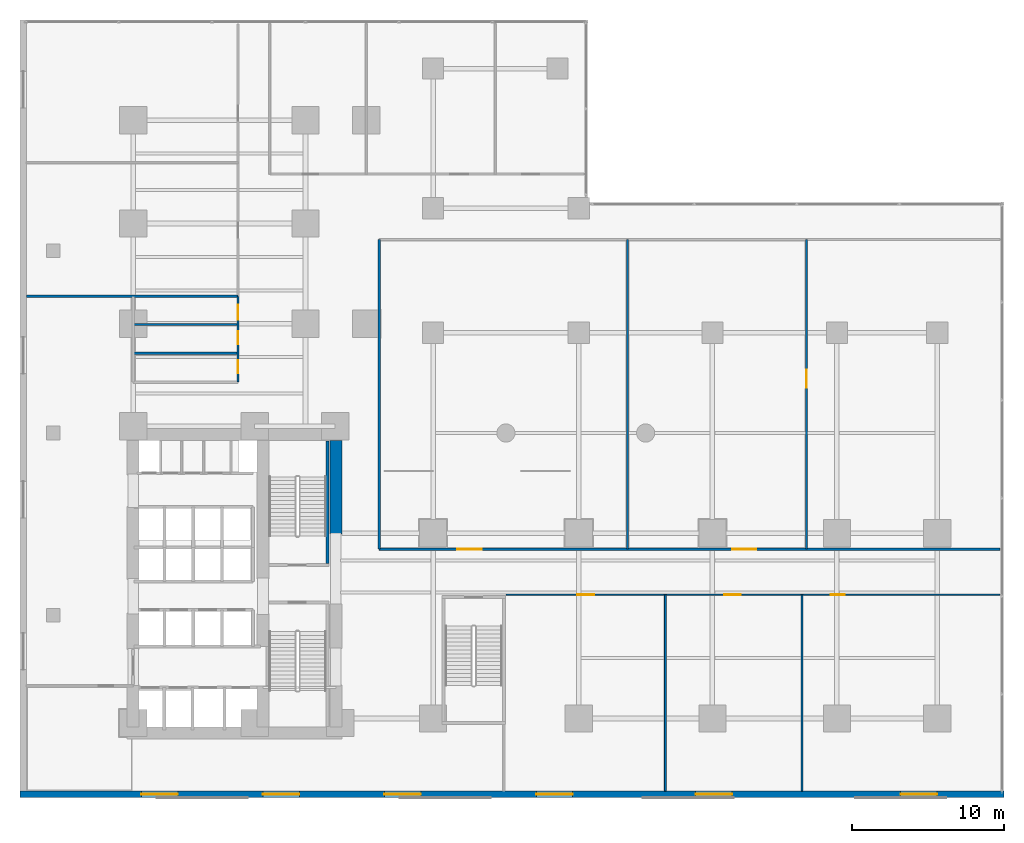
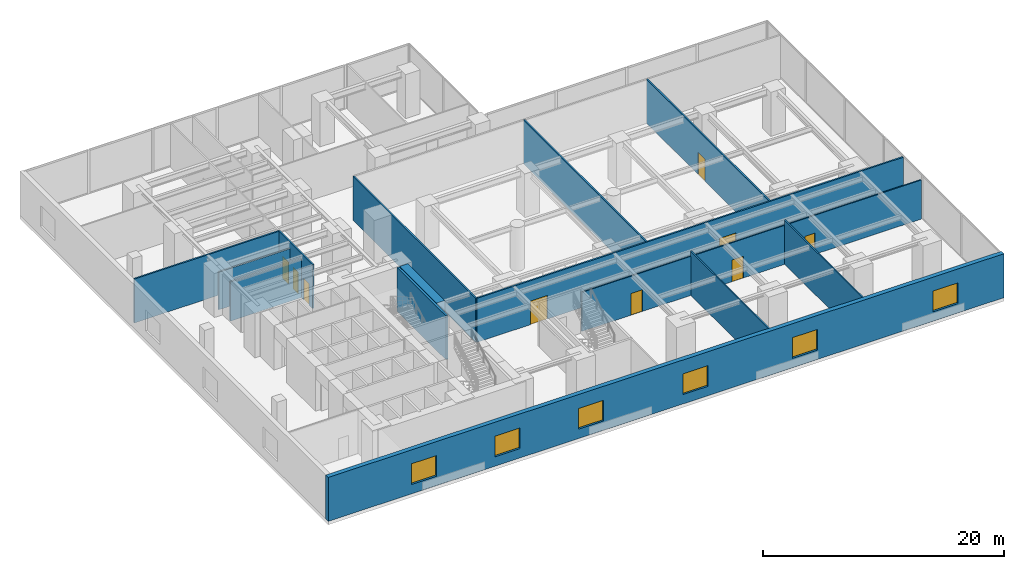
# One storey, part 13 of 16: 14 walls, 9 doors, 6 windows, 15 openings.
"""IFC4 building model written with IfcOpenShell, lengths in metres."""

from ifc_helpers import new_model, si_unit, direction, frame, frame_2d, origin, place, context, subcontext, project, spatial, rectangle, extrude, material, layer, layer_set, type_object, element, fill, save


model = new_model("IFC4")

# Units and contexts
model_context = context("Model", 3, precision=1e-05, world=origin(), true_north=direction((0.0, 1.0)))
body_context = subcontext(model_context, "Body", "Model", "MODEL_VIEW")
ifc_project = project(units=[si_unit("LENGTHUNIT", "METRE"), si_unit("AREAUNIT", "SQUARE_METRE"), si_unit("VOLUMEUNIT", "CUBIC_METRE"), si_unit("PLANEANGLEUNIT", "RADIAN"), si_unit("MASSUNIT", "GRAM", prefix="KILO")], contexts=[model_context])

# Site, building, storey
site_placement = place(None, origin())
site = spatial("IfcSite", under=ifc_project, at=site_placement, CompositionType="ELEMENT")
building_placement = place(site_placement, origin())
building = spatial("IfcBuilding", under=site, at=building_placement, Name="Kolvaren Waterfront Exchange", CompositionType="ELEMENT")
storey_placement = place(building_placement, frame((0.0, 0.0, 15.199951171875)))
storey = spatial("IfcBuildingStorey", under=building, at=storey_placement, Name="L04", CompositionType="ELEMENT", Elevation=15.199951171875)

# Wall, openings, windows
ifc_material_1 = material(Name="Precast concrete C40/50", Category="concrete")
ifc_layer_1 = layer(ifc_material_1, 0.419921875, Name="Precast concrete C40/50")
ifc_layer_set_1 = layer_set([ifc_layer_1], Name="Precast concrete C40/50")
wall_type_1 = type_object("IfcWallType", Name="ARC-EXT-GRANITE-420", PredefinedType="SOLIDWALL", material=ifc_layer_set_1)
wall_1_placement = place(storey_placement, frame((0.0, 0.2099609375, 0.0), z_axis=(0.0, 0.0, 1.0), x_axis=(1.0, 0.0, 0.0)))
wall_1 = element("IfcWall", 1, at=wall_1_placement, inside=storey, type_object=wall_type_1, Name="L04 south granite precast facade wall", PredefinedType="SOLIDWALL", context=body_context, shape_type="SweptSolid", body=[
    extrude(rectangle(XDim=64.800048828125, YDim=0.419921875, at=frame_2d((32.39990234375, 0.0))), origin(), (0.0, 0.0, 1.0), 4.4599609375),
])
opening_1_placement = place(wall_1_placement, frame((8.0, 0.0, 0.949951171875)))
opening_1 = element("IfcOpeningElement", 2, at=opening_1_placement, cuts=wall_1, Name="Opening W04", PredefinedType="OPENING", context=body_context, shape_type="SweptSolid", body=[
    extrude(rectangle(XDim=2.39990234375, YDim=2.10009765625, at=frame_2d((1.199951171875, 1.050048828125))), frame((0.0, 0.219970703125, 0.0), z_axis=(0.0, -1.0, 0.0), x_axis=(1.0, 0.0, 0.0)), (0.0, 0.0, 1.0), 0.43994140625),
])
opening_2_placement = place(wall_1_placement, frame((16.0, 0.0, 0.949951171875)))
opening_2 = element("IfcOpeningElement", 3, at=opening_2_placement, cuts=wall_1, Name="Opening W04", PredefinedType="OPENING", context=body_context, shape_type="SweptSolid", body=[
    extrude(rectangle(XDim=2.39990234375, YDim=2.10009765625, at=frame_2d((1.199951171875, 1.050048828125))), frame((0.0, 0.219970703125, 0.0), z_axis=(0.0, -1.0, 0.0), x_axis=(1.0, 0.0, 0.0)), (0.0, 0.0, 1.0), 0.43994140625),
])
opening_3_placement = place(wall_1_placement, frame((24.0, 0.0, 0.949951171875)))
opening_3 = element("IfcOpeningElement", 4, at=opening_3_placement, cuts=wall_1, Name="Opening W04", PredefinedType="OPENING", context=body_context, shape_type="SweptSolid", body=[
    extrude(rectangle(XDim=2.39990234375, YDim=2.10009765625, at=frame_2d((1.199951171875, 1.050048828125))), frame((0.0, 0.219970703125, 0.0), z_axis=(0.0, -1.0, 0.0), x_axis=(1.0, 0.0, 0.0)), (0.0, 0.0, 1.0), 0.43994140625),
])
opening_4_placement = place(wall_1_placement, frame((34.0, 0.0, 0.949951171875)))
opening_4 = element("IfcOpeningElement", 5, at=opening_4_placement, cuts=wall_1, Name="Opening W04", PredefinedType="OPENING", context=body_context, shape_type="SweptSolid", body=[
    extrude(rectangle(XDim=2.39990234375, YDim=2.10009765625, at=frame_2d((1.199951171875, 1.050048828125))), frame((0.0, 0.219970703125, 0.0), z_axis=(0.0, -1.0, 0.0), x_axis=(1.0, 0.0, 0.0)), (0.0, 0.0, 1.0), 0.43994140625),
])
opening_5_placement = place(wall_1_placement, frame((44.5, 0.0, 0.949951171875)))
opening_5 = element("IfcOpeningElement", 6, at=opening_5_placement, cuts=wall_1, Name="Opening W04", PredefinedType="OPENING", context=body_context, shape_type="SweptSolid", body=[
    extrude(rectangle(XDim=2.39990234375, YDim=2.10009765625, at=frame_2d((1.199951171875, 1.050048828125))), frame((0.0, 0.219970703125, 0.0), z_axis=(0.0, -1.0, 0.0), x_axis=(1.0, 0.0, 0.0)), (0.0, 0.0, 1.0), 0.43994140625),
])
opening_6_placement = place(wall_1_placement, frame((58.0, 0.0, 0.949951171875)))
opening_6 = element("IfcOpeningElement", 7, at=opening_6_placement, cuts=wall_1, Name="Opening W04", PredefinedType="OPENING", context=body_context, shape_type="SweptSolid", body=[
    extrude(rectangle(XDim=2.39990234375, YDim=2.10009765625, at=frame_2d((1.199951171875, 1.050048828125))), frame((0.0, 0.219970703125, 0.0), z_axis=(0.0, -1.0, 0.0), x_axis=(1.0, 0.0, 0.0)), (0.0, 0.0, 1.0), 0.43994140625),
])
ifc_material_2 = material(Name="Acoustic laminated vision glass", Category="glass")
window_type = type_object("IfcWindowType", Name="ARC-WIN-2400x2100", PartitioningType="SINGLE_PANEL", PredefinedType="WINDOW", material=ifc_material_2)
window_1_placement = place(opening_1_placement, origin())
window_1 = element("IfcWindow", 8, at=window_1_placement, inside=storey, type_object=window_type, Name="L04 south modular window 1", OverallHeight=2.10009765625, OverallWidth=2.39990234375, PartitioningType="SINGLE_PANEL", PredefinedType="WINDOW", context=body_context, shape_type="SweptSolid", body=[
    extrude(rectangle(XDim=2.39990234375, YDim=2.10009765625, at=frame_2d((1.199951171875, 1.050048828125))), frame((0.0, 0.030029296875, 0.0), z_axis=(0.0, -1.0, 0.0), x_axis=(1.0, 0.0, 0.0)), (0.0, 0.0, 1.0), 0.06005859375),
])
fill(opening_1, window_1)
window_2_placement = place(opening_2_placement, origin())
window_2 = element("IfcWindow", 9, at=window_2_placement, inside=storey, type_object=window_type, Name="L04 south modular window 2", OverallHeight=2.10009765625, OverallWidth=2.39990234375, PartitioningType="SINGLE_PANEL", PredefinedType="WINDOW", context=body_context, shape_type="SweptSolid", body=[
    extrude(rectangle(XDim=2.39990234375, YDim=2.10009765625, at=frame_2d((1.199951171875, 1.050048828125))), frame((0.0, 0.030029296875, 0.0), z_axis=(0.0, -1.0, 0.0), x_axis=(1.0, 0.0, 0.0)), (0.0, 0.0, 1.0), 0.06005859375),
])
fill(opening_2, window_2)
window_3_placement = place(opening_3_placement, origin())
window_3 = element("IfcWindow", 10, at=window_3_placement, inside=storey, type_object=window_type, Name="L04 south modular window 3", OverallHeight=2.10009765625, OverallWidth=2.39990234375, PartitioningType="SINGLE_PANEL", PredefinedType="WINDOW", context=body_context, shape_type="SweptSolid", body=[
    extrude(rectangle(XDim=2.39990234375, YDim=2.10009765625, at=frame_2d((1.199951171875, 1.050048828125))), frame((0.0, 0.030029296875, 0.0), z_axis=(0.0, -1.0, 0.0), x_axis=(1.0, 0.0, 0.0)), (0.0, 0.0, 1.0), 0.06005859375),
])
fill(opening_3, window_3)
window_4_placement = place(opening_4_placement, origin())
window_4 = element("IfcWindow", 11, at=window_4_placement, inside=storey, type_object=window_type, Name="L04 south modular window 4", OverallHeight=2.10009765625, OverallWidth=2.39990234375, PartitioningType="SINGLE_PANEL", PredefinedType="WINDOW", context=body_context, shape_type="SweptSolid", body=[
    extrude(rectangle(XDim=2.39990234375, YDim=2.10009765625, at=frame_2d((1.199951171875, 1.050048828125))), frame((0.0, 0.030029296875, 0.0), z_axis=(0.0, -1.0, 0.0), x_axis=(1.0, 0.0, 0.0)), (0.0, 0.0, 1.0), 0.06005859375),
])
fill(opening_4, window_4)
window_5_placement = place(opening_5_placement, origin())
window_5 = element("IfcWindow", 12, at=window_5_placement, inside=storey, type_object=window_type, Name="L04 south modular window 5", OverallHeight=2.10009765625, OverallWidth=2.39990234375, PartitioningType="SINGLE_PANEL", PredefinedType="WINDOW", context=body_context, shape_type="SweptSolid", body=[
    extrude(rectangle(XDim=2.39990234375, YDim=2.10009765625, at=frame_2d((1.199951171875, 1.050048828125))), frame((0.0, 0.030029296875, 0.0), z_axis=(0.0, -1.0, 0.0), x_axis=(1.0, 0.0, 0.0)), (0.0, 0.0, 1.0), 0.06005859375),
])
fill(opening_5, window_5)
window_6_placement = place(opening_6_placement, origin())
window_6 = element("IfcWindow", 13, at=window_6_placement, inside=storey, type_object=window_type, Name="L04 south modular window 6", OverallHeight=2.10009765625, OverallWidth=2.39990234375, PartitioningType="SINGLE_PANEL", PredefinedType="WINDOW", context=body_context, shape_type="SweptSolid", body=[
    extrude(rectangle(XDim=2.39990234375, YDim=2.10009765625, at=frame_2d((1.199951171875, 1.050048828125))), frame((0.0, 0.030029296875, 0.0), z_axis=(0.0, -1.0, 0.0), x_axis=(1.0, 0.0, 0.0)), (0.0, 0.0, 1.0), 0.06005859375),
])
fill(opening_6, window_6)

# Wall, openings, doors
ifc_material_3 = material(Name="Acoustic gypsum steel stud", Category="steel")
ifc_layer_2 = layer(ifc_material_3, 0.125, Name="Acoustic gypsum steel stud")
ifc_layer_set_2 = layer_set([ifc_layer_2], Name="Acoustic gypsum steel stud")
wall_type_2 = type_object("IfcWallType", Name="ARC-PART-125", PredefinedType="PARTITIONING", material=ifc_layer_set_2)
wall_2_placement = place(storey_placement, frame((32.0, 13.35009765625, 0.0), z_axis=(0.0, 0.0, 1.0), x_axis=(1.0, 0.0, 0.0)))
wall_2 = element("IfcWall", 14, at=wall_2_placement, inside=storey, type_object=wall_type_2, Name="L04 interior wall PW-L04-POD-SE-N", PredefinedType="PARTITIONING", context=body_context, shape_type="SweptSolid", body=[
    extrude(rectangle(XDim=32.550048828125, YDim=0.125, at=frame_2d((16.27490234375, 0.0))), origin(), (0.0, 0.0, 1.0), 3.9599609375),
])
opening_7_placement = place(wall_2_placement, frame((4.699951171875, 0.0, 0.0)))
opening_7 = element("IfcOpeningElement", 15, at=opening_7_placement, cuts=wall_2, Name="Opening D04", PredefinedType="OPENING", context=body_context, shape_type="SweptSolid", body=[
    extrude(rectangle(XDim=1.10009765625, YDim=2.199951171875, at=frame_2d((0.550048828125, 1.10009765625))), frame((0.0, 0.072509765625, 0.0), z_axis=(0.0, -1.0, 0.0), x_axis=(1.0, 0.0, 0.0)), (0.0, 0.0, 1.0), 0.14501953125),
])
opening_8_placement = place(wall_2_placement, frame((14.378662109375, 0.0, 0.0)))
opening_8 = element("IfcOpeningElement", 16, at=opening_8_placement, cuts=wall_2, Name="Opening D04", PredefinedType="OPENING", context=body_context, shape_type="SweptSolid", body=[
    extrude(rectangle(XDim=1.10009765625, YDim=2.199951171875, at=frame_2d((0.550048828125, 1.10009765625))), frame((0.0, 0.072509765625, 0.0), z_axis=(0.0, -1.0, 0.0), x_axis=(1.0, 0.0, 0.0)), (0.0, 0.0, 1.0), 0.14501953125),
])
opening_9_placement = place(wall_2_placement, frame((21.375, 0.0, 0.0)))
opening_9 = element("IfcOpeningElement", 17, at=opening_9_placement, cuts=wall_2, Name="Opening D02", PredefinedType="OPENING", context=body_context, shape_type="SweptSolid", body=[
    extrude(rectangle(XDim=0.949951171875, YDim=2.14990234375, at=frame_2d((0.47509765625, 1.074951171875))), frame((0.0, 0.072509765625, 0.0), z_axis=(0.0, -1.0, 0.0), x_axis=(1.0, 0.0, 0.0)), (0.0, 0.0, 1.0), 0.14501953125),
])
ifc_material_4 = material(Name="Anodised bronze framed glass", Category="aluminium")
door_type_1 = type_object("IfcDoorType", Name="ARC-DR-1100", OperationType="NOTDEFINED", PredefinedType="DOOR", material=ifc_material_4)
door_1_placement = place(opening_7_placement, origin())
door_1 = element("IfcDoor", 18, at=door_1_placement, inside=storey, type_object=door_type_1, Name="L04 door DR-L04-PCONF1-D (D04)", OperationType="SINGLE_SWING_LEFT", OverallHeight=2.199951171875, OverallWidth=1.10009765625, PredefinedType="DOOR", context=body_context, shape_type="SweptSolid", body=[
    extrude(rectangle(XDim=1.10009765625, YDim=2.199951171875, at=frame_2d((0.550048828125, 1.10009765625))), frame((0.0, 0.02490234375, 0.0), z_axis=(0.0, -1.0, 0.0), x_axis=(1.0, 0.0, 0.0)), (0.0, 0.0, 1.0), 0.050048828125),
])
fill(opening_7, door_1)
door_2_placement = place(opening_8_placement, origin())
door_2 = element("IfcDoor", 19, at=door_2_placement, inside=storey, type_object=door_type_1, Name="L04 door DR-L04-PCONF2-D (D04)", OperationType="SINGLE_SWING_RIGHT", OverallHeight=2.199951171875, OverallWidth=1.10009765625, PredefinedType="DOOR", context=body_context, shape_type="SweptSolid", body=[
    extrude(rectangle(XDim=1.10009765625, YDim=2.199951171875, at=frame_2d((0.550048828125, 1.10009765625))), frame((0.0, 0.02490234375, 0.0), z_axis=(0.0, -1.0, 0.0), x_axis=(1.0, 0.0, 0.0)), (0.0, 0.0, 1.0), 0.050048828125),
])
fill(opening_8, door_2)
ifc_material_5 = material(Name="Oak veneer acoustic timber", Category="wood")
door_type_2 = type_object("IfcDoorType", Name="ARC-DR-950", OperationType="NOTDEFINED", PredefinedType="DOOR", material=ifc_material_5)
door_3_placement = place(opening_9_placement, origin())
door_3 = element("IfcDoor", 20, at=door_3_placement, inside=storey, type_object=door_type_2, Name="L04 door DR-L04-PPANT-D (D02)", OperationType="SINGLE_SWING_LEFT", OverallHeight=2.14990234375, OverallWidth=0.949951171875, PredefinedType="DOOR", context=body_context, shape_type="SweptSolid", body=[
    extrude(rectangle(XDim=0.949951171875, YDim=2.14990234375, at=frame_2d((0.47509765625, 1.074951171875))), frame((0.0, 0.02490234375, 0.0), z_axis=(0.0, -1.0, 0.0), x_axis=(1.0, 0.0, 0.0)), (0.0, 0.0, 1.0), 0.050048828125),
])
fill(opening_9, door_3)

# Walls
for number, where, z_axis, x_axis, name in (
    (21, (42.5, 0.419921875, 0.0), (0.0, 0.0, 1.0), (0.0, 1.0, 0.0), "L04 interior wall PW-L04-POD-SE-M1"),
    (22, (51.5, 0.419921875, 0.0), (0.0, 0.0, 1.0), (0.0, 1.0, 0.0), "L04 interior wall PW-L04-POD-SE-M2"),
):
    element("IfcWall", number, at=place(storey_placement, frame(where, z_axis=z_axis, x_axis=x_axis)), inside=storey, type_object=wall_type_2, Name=name, PredefinedType="PARTITIONING", context=body_context, shape_type="SweptSolid", body=[
        extrude(rectangle(XDim=12.93017578125, YDim=0.125, at=frame_2d((6.465087890625, 0.0))), origin(), (0.0, 0.0, 1.0), 4.4599609375),
    ])

# Wall, openings, doors
ifc_material_6 = material(Name="Gypsum fireboard steel stud", Category="steel")
ifc_layer_3 = layer(ifc_material_6, 0.14990234375, Name="Gypsum fireboard steel stud")
ifc_layer_set_3 = layer_set([ifc_layer_3], Name="Gypsum fireboard steel stud")
wall_type_3 = type_object("IfcWallType", Name="ARC-PART-150", PredefinedType="PARTITIONING", material=ifc_layer_set_3)
wall_3_placement = place(storey_placement, frame((23.64990234375, 16.35009765625, 0.0), z_axis=(0.0, 0.0, 1.0), x_axis=(1.0, 0.0, 0.0)))
wall_3 = element("IfcWall", 23, at=wall_3_placement, inside=storey, type_object=wall_type_3, Name="L04 interior wall PW-L04-POD-HALL-S", PredefinedType="PARTITIONING", context=body_context, shape_type="SweptSolid", body=[
    extrude(rectangle(XDim=40.900146484375, YDim=0.14990234375, at=frame_2d((20.4501953125, 0.0))), origin(), (0.0, 0.0, 1.0), 4.4599609375),
])
opening_10_placement = place(wall_3_placement, frame((5.14990234375, 0.0, 0.0)))
opening_10 = element("IfcOpeningElement", 24, at=opening_10_placement, cuts=wall_3, Name="Opening D07", PredefinedType="OPENING", context=body_context, shape_type="SweptSolid", body=[
    extrude(rectangle(XDim=1.60009765625, YDim=2.39990234375, at=frame_2d((0.800048828125, 1.199951171875))), frame((0.0, 0.0849609375, 0.0), z_axis=(0.0, -1.0, 0.0), x_axis=(1.0, 0.0, 0.0)), (0.0, 0.0, 1.0), 0.169921875),
])
opening_11_placement = place(wall_3_placement, frame((23.24169921875, 0.0, 0.0)))
opening_11 = element("IfcOpeningElement", 25, at=opening_11_placement, cuts=wall_3, Name="Opening D07", PredefinedType="OPENING", context=body_context, shape_type="SweptSolid", body=[
    extrude(rectangle(XDim=1.60009765625, YDim=2.39990234375, at=frame_2d((0.800048828125, 1.199951171875))), frame((0.0, 0.0849609375, 0.0), z_axis=(0.0, -1.0, 0.0), x_axis=(1.0, 0.0, 0.0)), (0.0, 0.0, 1.0), 0.169921875),
])
ifc_material_7 = material(Name="Anodised bronze double leaf", Category="aluminium")
door_type_3 = type_object("IfcDoorType", Name="ARC-DR-1600", OperationType="NOTDEFINED", PredefinedType="DOOR", material=ifc_material_7)
door_4_placement = place(opening_10_placement, origin())
door_4 = element("IfcDoor", 26, at=door_4_placement, inside=storey, type_object=door_type_3, Name="L04 door DR-L04-PM1-D (D07)", OperationType="SINGLE_SWING_RIGHT", OverallHeight=2.39990234375, OverallWidth=1.60009765625, PredefinedType="DOOR", context=body_context, shape_type="SweptSolid", body=[
    extrude(rectangle(XDim=1.60009765625, YDim=2.39990234375, at=frame_2d((0.800048828125, 1.199951171875))), frame((0.0, 0.02490234375, 0.0), z_axis=(0.0, -1.0, 0.0), x_axis=(1.0, 0.0, 0.0)), (0.0, 0.0, 1.0), 0.050048828125),
])
fill(opening_10, door_4)
door_5_placement = place(opening_11_placement, origin())
door_5 = element("IfcDoor", 27, at=door_5_placement, inside=storey, type_object=door_type_3, Name="L04 door DR-L04-PM2-D (D07)", OperationType="SINGLE_SWING_LEFT", OverallHeight=2.39990234375, OverallWidth=1.60009765625, PredefinedType="DOOR", context=body_context, shape_type="SweptSolid", body=[
    extrude(rectangle(XDim=1.60009765625, YDim=2.39990234375, at=frame_2d((0.800048828125, 1.199951171875))), frame((0.0, 0.02490234375, 0.0), z_axis=(0.0, -1.0, 0.0), x_axis=(1.0, 0.0, 0.0)), (0.0, 0.0, 1.0), 0.050048828125),
])
fill(opening_11, door_5)

# Walls
for number, where, z_axis, x_axis, name in (
    (28, (23.64990234375, 16.35009765625, 0.0), (0.0, 0.0, 1.0), (0.0, 1.0, 0.0), "L04 interior wall PW-L04-POD-HALL-W"),
    (29, (40.0, 16.35009765625, 0.0), (0.0, 0.0, 1.0), (0.0, 1.0, 0.0), "L04 interior wall PW-L04-POD-HALL-MID"),
):
    element("IfcWall", number, at=place(storey_placement, frame(where, z_axis=z_axis, x_axis=x_axis)), inside=storey, type_object=wall_type_3, Name=name, PredefinedType="PARTITIONING", context=body_context, shape_type="SweptSolid", body=[
        extrude(rectangle(XDim=20.39990234375, YDim=0.14990234375, at=frame_2d((10.199951171875, 0.0))), origin(), (0.0, 0.0, 1.0), 4.4599609375),
    ])

# Wall, opening, door
wall_4_placement = place(storey_placement, frame((51.800048828125, 16.35009765625, 0.0), z_axis=(0.0, 0.0, 1.0), x_axis=(0.0, 1.0, 0.0)))
wall_4 = element("IfcWall", 30, at=wall_4_placement, inside=storey, type_object=wall_type_3, Name="L04 interior wall PW-L04-POD-HALL-MID2", PredefinedType="PARTITIONING", context=body_context, shape_type="SweptSolid", body=[
    extrude(rectangle(XDim=20.39990234375, YDim=0.14990234375, at=frame_2d((10.199951171875, 0.0))), origin(), (0.0, 0.0, 1.0), 4.4599609375),
])
opening_12_placement = place(wall_4_placement, frame((10.62646484375, 0.0, 0.0)))
opening_12 = element("IfcOpeningElement", 31, at=opening_12_placement, cuts=wall_4, Name="Opening D05", PredefinedType="OPENING", context=body_context, shape_type="SweptSolid", body=[
    extrude(rectangle(XDim=1.199951171875, YDim=2.25, at=frame_2d((0.60009765625, 1.125))), frame((0.0, 0.0849609375, 0.0), z_axis=(0.0, -1.0, 0.0), x_axis=(1.0, 0.0, 0.0)), (0.0, 0.0, 1.0), 0.169921875),
])
door_type_4 = type_object("IfcDoorType", Name="ARC-DR-1200", OperationType="NOTDEFINED", PredefinedType="DOOR", material=ifc_material_4)
door_6_placement = place(opening_12_placement, origin())
door_6 = element("IfcDoor", 32, at=door_6_placement, inside=storey, type_object=door_type_4, Name="L04 door DR-L04-PM3-D (D05)", OperationType="SINGLE_SWING_RIGHT", OverallHeight=2.25, OverallWidth=1.199951171875, PredefinedType="DOOR", context=body_context, shape_type="SweptSolid", body=[
    extrude(rectangle(XDim=1.199951171875, YDim=2.25, at=frame_2d((0.60009765625, 1.125))), frame((0.0, 0.02490234375, 0.0), z_axis=(0.0, -1.0, 0.0), x_axis=(1.0, 0.0, 0.0)), (0.0, 0.0, 1.0), 0.050048828125),
])
fill(opening_12, door_6)

# Wall, openings, doors
ifc_material_8 = material(Name="Moisture-resistant gypsum stud")
ifc_layer_4 = layer(ifc_material_8, 0.14990234375, Name="Moisture-resistant gypsum stud")
ifc_layer_set_4 = layer_set([ifc_layer_4], Name="Moisture-resistant gypsum stud")
wall_type_4 = type_object("IfcWallType", Name="ARC-PLUMB-150", PredefinedType="PLUMBINGWALL", material=ifc_layer_set_4)
wall_5_placement = place(storey_placement, frame((14.35009765625, 27.35009765625, 0.0), z_axis=(0.0, 0.0, 1.0), x_axis=(0.0, 1.0, 0.0)))
wall_5 = element("IfcWall", 33, at=wall_5_placement, inside=storey, type_object=wall_type_4, Name="L04 interior wall PW-L04-WC-E", PredefinedType="PLUMBINGWALL", context=body_context, shape_type="SweptSolid", body=[
    extrude(rectangle(XDim=5.64990234375, YDim=0.14990234375, at=frame_2d((2.824951171875, 0.0))), origin(), (0.0, 0.0, 1.0), 4.4599609375),
])
opening_13_placement = place(wall_5_placement, frame((0.60009765625, 0.0, 0.0)))
opening_13 = element("IfcOpeningElement", 34, at=opening_13_placement, cuts=wall_5, Name="Opening D01", PredefinedType="OPENING", context=body_context, shape_type="SweptSolid", body=[
    extrude(rectangle(XDim=0.85009765625, YDim=2.14990234375, at=frame_2d((0.425048828125, 1.074951171875))), frame((0.0, 0.0849609375, 0.0), z_axis=(0.0, -1.0, 0.0), x_axis=(1.0, 0.0, 0.0)), (0.0, 0.0, 1.0), 0.169921875),
])
opening_14_placement = place(wall_5_placement, frame((2.5, 0.0, 0.0)))
opening_14 = element("IfcOpeningElement", 35, at=opening_14_placement, cuts=wall_5, Name="Opening D01", PredefinedType="OPENING", context=body_context, shape_type="SweptSolid", body=[
    extrude(rectangle(XDim=0.85009765625, YDim=2.14990234375, at=frame_2d((0.425048828125, 1.074951171875))), frame((0.0, 0.0849609375, 0.0), z_axis=(0.0, -1.0, 0.0), x_axis=(1.0, 0.0, 0.0)), (0.0, 0.0, 1.0), 0.169921875),
])
opening_15_placement = place(wall_5_placement, frame((4.10009765625, 0.0, 0.0)))
opening_15 = element("IfcOpeningElement", 36, at=opening_15_placement, cuts=wall_5, Name="Opening D03", PredefinedType="OPENING", context=body_context, shape_type="SweptSolid", body=[
    extrude(rectangle(XDim=1.0, YDim=2.199951171875, at=frame_2d((0.5, 1.10009765625))), frame((0.0, 0.0849609375, 0.0), z_axis=(0.0, -1.0, 0.0), x_axis=(1.0, 0.0, 0.0)), (0.0, 0.0, 1.0), 0.169921875),
])
ifc_material_9 = material(Name="Oak veneer accessible timber", Category="wood")
door_type_5 = type_object("IfcDoorType", Name="ARC-DR-1000", OperationType="NOTDEFINED", PredefinedType="DOOR", material=ifc_material_9)
door_7_placement = place(opening_15_placement, origin())
door_7 = element("IfcDoor", 37, at=door_7_placement, inside=storey, type_object=door_type_5, Name="L04 door DR-L04-WCA-D (D03)", OperationType="SINGLE_SWING_RIGHT", OverallHeight=2.199951171875, OverallWidth=1.0, PredefinedType="DOOR", context=body_context, shape_type="SweptSolid", body=[
    extrude(rectangle(XDim=1.0, YDim=2.199951171875, at=frame_2d((0.5, 1.10009765625))), frame((0.0, 0.02490234375, 0.0), z_axis=(0.0, -1.0, 0.0), x_axis=(1.0, 0.0, 0.0)), (0.0, 0.0, 1.0), 0.050048828125),
])
fill(opening_15, door_7)
ifc_material_10 = material(Name="Oak veneer timber leaf", Category="wood")
door_type_6 = type_object("IfcDoorType", Name="ARC-DR-900", OperationType="NOTDEFINED", PredefinedType="DOOR", material=ifc_material_10)
door_8_placement = place(opening_13_placement, origin())
door_8 = element("IfcDoor", 38, at=door_8_placement, inside=storey, type_object=door_type_6, Name="L04 door DR-L04-WCM-D (D01)", OperationType="SINGLE_SWING_RIGHT", OverallHeight=2.14990234375, OverallWidth=0.85009765625, PredefinedType="DOOR", context=body_context, shape_type="SweptSolid", body=[
    extrude(rectangle(XDim=0.85009765625, YDim=2.14990234375, at=frame_2d((0.425048828125, 1.074951171875))), frame((0.0, 0.02490234375, 0.0), z_axis=(0.0, -1.0, 0.0), x_axis=(1.0, 0.0, 0.0)), (0.0, 0.0, 1.0), 0.050048828125),
])
fill(opening_13, door_8)
door_9_placement = place(opening_14_placement, origin())
door_9 = element("IfcDoor", 39, at=door_9_placement, inside=storey, type_object=door_type_6, Name="L04 door DR-L04-WCF-D (D01)", OperationType="SINGLE_SWING_LEFT", OverallHeight=2.14990234375, OverallWidth=0.85009765625, PredefinedType="DOOR", context=body_context, shape_type="SweptSolid", body=[
    extrude(rectangle(XDim=0.85009765625, YDim=2.14990234375, at=frame_2d((0.425048828125, 1.074951171875))), frame((0.0, 0.02490234375, 0.0), z_axis=(0.0, -1.0, 0.0), x_axis=(1.0, 0.0, 0.0)), (0.0, 0.0, 1.0), 0.050048828125),
])
fill(opening_14, door_9)

# Walls
wall_6_placement = place(storey_placement, frame((7.449951171875, 29.25, 0.0), z_axis=(0.0, 0.0, 1.0), x_axis=(1.0, 0.0, 0.0)))
element("IfcWall", 40, at=wall_6_placement, inside=storey, type_object=wall_type_4, Name="L04 interior wall PW-L04-WC-N1", PredefinedType="PLUMBINGWALL", context=body_context, shape_type="SweptSolid", body=[
    extrude(rectangle(XDim=6.900146484375, YDim=0.14990234375, at=frame_2d((3.4501953125, 0.0))), origin(), (0.0, 0.0, 1.0), 3.9599609375),
])
wall_7_placement = place(storey_placement, frame((7.449951171875, 31.14990234375, 0.0), z_axis=(0.0, 0.0, 1.0), x_axis=(1.0, 0.0, 0.0)))
element("IfcWall", 41, at=wall_7_placement, inside=storey, type_object=wall_type_4, Name="L04 interior wall PW-L04-WC-N2", PredefinedType="PLUMBINGWALL", context=body_context, shape_type="SweptSolid", body=[
    extrude(rectangle(XDim=6.900146484375, YDim=0.14990234375, at=frame_2d((3.4501953125, 0.0))), origin(), (0.0, 0.0, 1.0), 3.81005859375),
])
wall_8_placement = place(storey_placement, frame((0.419921875, 33.0, 0.0), z_axis=(0.0, 0.0, 1.0), x_axis=(1.0, 0.0, 0.0)))
element("IfcWall", 42, at=wall_8_placement, inside=storey, type_object=wall_type_4, Name="L04 interior wall PW-L04-WC-N3", PredefinedType="PLUMBINGWALL", context=body_context, shape_type="SweptSolid", body=[
    extrude(rectangle(XDim=13.93017578125, YDim=0.14990234375, at=frame_2d((6.965087890625, 0.0))), origin(), (0.0, 0.0, 1.0), 4.4599609375),
])
ifc_material_11 = material(Name="Concrete C40/50", Category="concrete")
ifc_layer_5 = layer(ifc_material_11, 0.199951171875, Name="Concrete C40/50")
ifc_layer_set_5 = layer_set([ifc_layer_5], Name="Concrete C40/50")
wall_type_5 = type_object("IfcWallType", Name="ARC-SHAFT-200", PredefinedType="PARTITIONING", material=ifc_layer_set_5)
wall_9_placement = place(storey_placement, frame((20.260009765625, 15.39990234375, 0.0), z_axis=(0.0, 0.0, 1.0), x_axis=(0.0, 1.0, 0.0)))
element("IfcWall", 43, at=wall_9_placement, inside=storey, type_object=wall_type_5, Name="L04 structural stairwell wall PW-L04-ST2-E", PredefinedType="SHEAR", context=body_context, shape_type="SweptSolid", body=[
    extrude(rectangle(XDim=8.090087890625, YDim=0.199951171875, at=frame_2d((4.044921875, 0.0))), origin(), (0.0, 0.0, 1.0), 4.4599609375),
])
ifc_material_12 = material(Name="Concrete C70/85", Category="concrete")
ifc_layer_6 = layer(ifc_material_12, 0.800048828125, Name="Concrete C70/85")
ifc_layer_set_6 = layer_set([ifc_layer_6], Name="Concrete C70/85")
wall_type_6 = type_object("IfcWallType", Name="STR-CWALL-800", PredefinedType="SHEAR", material=ifc_layer_set_6)
wall_10_placement = place(storey_placement, frame((20.800048828125, 17.35009765625, 0.0), z_axis=(0.0, 0.0, 1.0), x_axis=(0.0, 1.0, 0.0)))
element("IfcWall", 44, at=wall_10_placement, inside=storey, type_object=wall_type_6, Name="L04 rear-core shear wall E3", PredefinedType="SHEAR", context=body_context, shape_type="SweptSolid", body=[
    extrude(rectangle(XDim=6.14990234375, YDim=0.800048828125, at=frame_2d((3.074951171875, 0.0))), origin(), (0.0, 0.0, 1.0), 4.4599609375),
])

save(model, "model.ifc")
